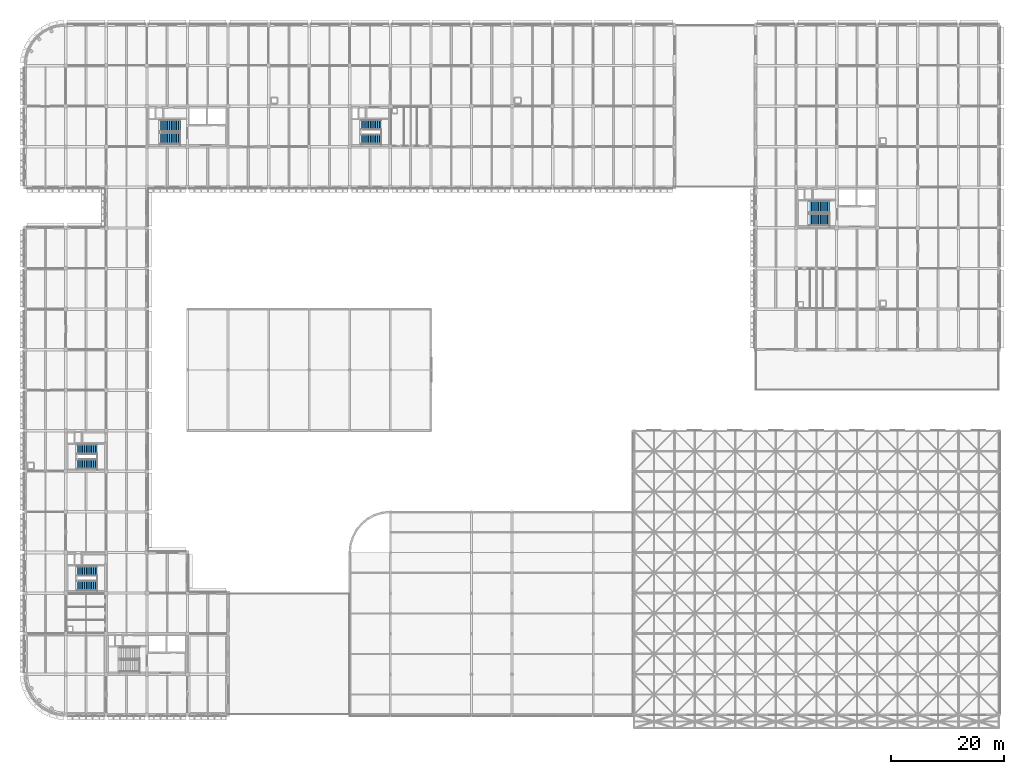
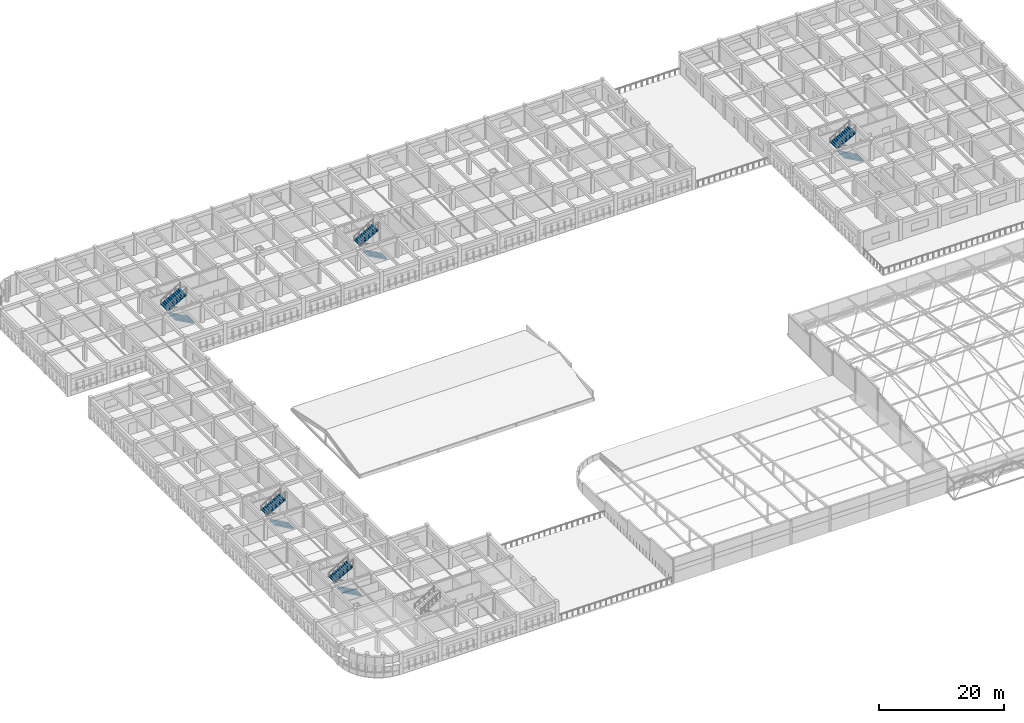
# One storey, part 96 of 103: 10 stair flights, 5 elements without a shape of their own.
"""IFC4 building model written with IfcOpenShell, lengths in metres."""

from ifc_helpers import new_model, si_unit, direction, frame, origin, place, context, subcontext, project, spatial, polyline, outline, extrude, material, type_object, element, aggregate, save


model = new_model("IFC4")

# Units and contexts
model_context = context("Model", 3, precision=1e-05, world=origin(), true_north=direction((0.0, 1.0)))
body_context = subcontext(model_context, "Body", "Model", "MODEL_VIEW")
ifc_project = project(units=[si_unit("LENGTHUNIT", "METRE"), si_unit("AREAUNIT", "SQUARE_METRE"), si_unit("VOLUMEUNIT", "CUBIC_METRE"), si_unit("PLANEANGLEUNIT", "RADIAN"), si_unit("MASSUNIT", "GRAM", prefix="KILO")], contexts=[model_context])

# Site, building, storey
site_placement = place(None, origin())
site = spatial("IfcSite", under=ifc_project, at=site_placement, CompositionType="ELEMENT")
building_placement = place(site_placement, origin())
building = spatial("IfcBuilding", under=site, at=building_placement, Name="Thalmaran Polytechnic", CompositionType="ELEMENT")
storey_placement = place(building_placement, frame((0.0, 0.0, 14.39990234375)))
storey = spatial("IfcBuildingStorey", under=building, at=storey_placement, Name="L03", CompositionType="ELEMENT", Elevation=14.39990234375)

# Stair, stair flights
ifc_material = material(Name="Concrete C40/50", Category="concrete")
stair_type = type_object("IfcStairType", Name="ST-HT42", PredefinedType="HALF_TURN_STAIR", material=ifc_material)
stair_1_placement = place(storey_placement, origin())
stair_1 = element("IfcStair", 1, at=stair_1_placement, inside=storey, type_object=stair_type, Name="Exit Stair ST2 L03", PredefinedType="HALF_TURN_STAIR")
stair_flight_type = type_object("IfcStairFlightType", Name="SF-FL13", PredefinedType="STRAIGHT", material=ifc_material)
stair_flight_1_placement = place(storey_placement, frame((27.52001953125, 102.159912109375, 0.0), z_axis=(0.0, 0.0, 1.0), x_axis=(-1.0, 0.0, 0.0)))
stair_flight_1 = element("IfcStairFlight", 2, at=stair_flight_1_placement, type_object=stair_flight_type, Name="Stair Flight ST2 L03 Lower", NumberOfRisers=12, NumberOfTreads=11, PredefinedType="STRAIGHT", RiserHeight=0.175, TreadLength=0.32, context=body_context, shape_type="SweptSolid", body=[
    extrude(outline(polyline([(0.0, 0.0), (0.0, 0.175048828125), (0.320068359375, 0.175048828125), (0.320068359375, 0.35009765625), (0.639892578125, 0.35009765625), (0.639892578125, 0.52490234375), (0.9599609375, 0.52490234375), (0.9599609375, 0.699951171875), (1.280029296875, 0.699951171875), (1.280029296875, 0.875), (1.60009765625, 0.875), (1.60009765625, 1.050048828125), (1.919921875, 1.050048828125), (1.919921875, 1.22509765625), (2.239990234375, 1.22509765625), (2.239990234375, 1.39990234375), (2.56005859375, 1.39990234375), (2.56005859375, 1.574951171875), (2.8798828125, 1.574951171875), (2.8798828125, 1.75), (3.199951171875, 1.75), (3.199951171875, 1.925048828125), (3.52001953125, 1.925048828125), (3.52001953125, 2.10009765625), (3.52001953125, 1.719970703125), (0.375, 0.0), (0.0, 0.0)])), frame((0.0, 1.080078125, 0.0), z_axis=(0.0, -1.0, 0.0), x_axis=(1.0, 0.0, 0.0)), (0.0, 0.0, 1.0), 2.159912109375),
])
stair_flight_2_placement = place(storey_placement, frame((24.0, 104.6201171875, 2.10009765625), z_axis=(0.0, 0.0, 1.0), x_axis=(1.0, 0.0, 0.0)))
stair_flight_2 = element("IfcStairFlight", 3, at=stair_flight_2_placement, type_object=stair_flight_type, Name="Stair Flight ST2 L03 Upper", NumberOfRisers=12, NumberOfTreads=11, PredefinedType="STRAIGHT", RiserHeight=0.175, TreadLength=0.32, context=body_context, shape_type="SweptSolid", body=[
    extrude(outline(polyline([(0.0, 0.0), (0.0, 0.175048828125), (0.320068359375, 0.175048828125), (0.320068359375, 0.35009765625), (0.639892578125, 0.35009765625), (0.639892578125, 0.52490234375), (0.9599609375, 0.52490234375), (0.9599609375, 0.699951171875), (1.280029296875, 0.699951171875), (1.280029296875, 0.875), (1.60009765625, 0.875), (1.60009765625, 1.050048828125), (1.919921875, 1.050048828125), (1.919921875, 1.22509765625), (2.239990234375, 1.22509765625), (2.239990234375, 1.39990234375), (2.56005859375, 1.39990234375), (2.56005859375, 1.574951171875), (2.8798828125, 1.574951171875), (2.8798828125, 1.75), (3.199951171875, 1.75), (3.199951171875, 1.925048828125), (3.52001953125, 1.925048828125), (3.52001953125, 2.10009765625), (3.52001953125, 1.719970703125), (0.375, 0.0), (0.0, 0.0)])), frame((0.0, 1.080078125, 0.0), z_axis=(0.0, -1.0, 0.0), x_axis=(1.0, 0.0, 0.0)), (0.0, 0.0, 1.0), 2.159912109375),
])
aggregate(stair_1, [stair_flight_1, stair_flight_2])

stair_2_placement = place(storey_placement, origin())
stair_2 = element("IfcStair", 4, at=stair_2_placement, inside=storey, type_object=stair_type, Name="Exit Stair ST3 L03", PredefinedType="HALF_TURN_STAIR")
stair_flight_3_placement = place(storey_placement, frame((12.760009765625, 22.7900390625, 0.0), z_axis=(0.0, 0.0, 1.0), x_axis=(-1.0, 0.0, 0.0)))
stair_flight_3 = element("IfcStairFlight", 5, at=stair_flight_3_placement, type_object=stair_flight_type, Name="Stair Flight ST3 L03 Lower", NumberOfRisers=12, NumberOfTreads=11, PredefinedType="STRAIGHT", RiserHeight=0.175, TreadLength=0.318182, context=body_context, shape_type="SweptSolid", body=[
    extrude(outline(polyline([(0.0, 0.0), (0.0, 0.175048828125), (0.318115234375, 0.175048828125), (0.318115234375, 0.35009765625), (0.636474609375, 0.35009765625), (0.636474609375, 0.52490234375), (0.95458984375, 0.52490234375), (0.95458984375, 0.699951171875), (1.272705078125, 0.699951171875), (1.272705078125, 0.875), (1.5908203125, 0.875), (1.5908203125, 1.050048828125), (1.9091796875, 1.050048828125), (1.9091796875, 1.22509765625), (2.227294921875, 1.22509765625), (2.227294921875, 1.39990234375), (2.54541015625, 1.39990234375), (2.54541015625, 1.574951171875), (2.863525390625, 1.574951171875), (2.863525390625, 1.75), (3.181884765625, 1.75), (3.181884765625, 1.925048828125), (3.5, 1.925048828125), (3.5, 2.10009765625), (3.5, 1.7197265625), (0.373291015625, 0.0), (0.0, 0.0)])), frame((0.0, 0.91015625, 0.0), z_axis=(0.0, -1.0, 0.0), x_axis=(1.0, 0.0, 0.0)), (0.0, 0.0, 1.0), 1.820068359375),
])
stair_flight_4_placement = place(storey_placement, frame((9.260009765625, 25.590087890625, 2.10009765625), z_axis=(0.0, 0.0, 1.0), x_axis=(1.0, 0.0, 0.0)))
stair_flight_4 = element("IfcStairFlight", 6, at=stair_flight_4_placement, type_object=stair_flight_type, Name="Stair Flight ST3 L03 Upper", NumberOfRisers=12, NumberOfTreads=11, PredefinedType="STRAIGHT", RiserHeight=0.175, TreadLength=0.318182, context=body_context, shape_type="SweptSolid", body=[
    extrude(outline(polyline([(0.0, 0.0), (0.0, 0.175048828125), (0.318115234375, 0.175048828125), (0.318115234375, 0.35009765625), (0.636474609375, 0.35009765625), (0.636474609375, 0.52490234375), (0.95458984375, 0.52490234375), (0.95458984375, 0.699951171875), (1.272705078125, 0.699951171875), (1.272705078125, 0.875), (1.5908203125, 0.875), (1.5908203125, 1.050048828125), (1.9091796875, 1.050048828125), (1.9091796875, 1.22509765625), (2.227294921875, 1.22509765625), (2.227294921875, 1.39990234375), (2.54541015625, 1.39990234375), (2.54541015625, 1.574951171875), (2.863525390625, 1.574951171875), (2.863525390625, 1.75), (3.181884765625, 1.75), (3.181884765625, 1.925048828125), (3.5, 1.925048828125), (3.5, 2.10009765625), (3.5, 1.7197265625), (0.373291015625, 0.0), (0.0, 0.0)])), frame((0.0, 0.91015625, 0.0), z_axis=(0.0, -1.0, 0.0), x_axis=(1.0, 0.0, 0.0)), (0.0, 0.0, 1.0), 1.820068359375),
])
aggregate(stair_2, [stair_flight_3, stair_flight_4])

stair_3_placement = place(storey_placement, origin())
stair_3 = element("IfcStair", 7, at=stair_3_placement, inside=storey, type_object=stair_type, Name="Exit Stair ST4 L03", PredefinedType="HALF_TURN_STAIR")
stair_flight_5_placement = place(storey_placement, frame((12.760009765625, 44.389892578125, 0.0), z_axis=(0.0, 0.0, 1.0), x_axis=(-1.0, 0.0, 0.0)))
stair_flight_5 = element("IfcStairFlight", 8, at=stair_flight_5_placement, type_object=stair_flight_type, Name="Stair Flight ST4 L03 Lower", NumberOfRisers=12, NumberOfTreads=11, PredefinedType="STRAIGHT", RiserHeight=0.175, TreadLength=0.318182, context=body_context, shape_type="SweptSolid", body=[
    extrude(outline(polyline([(0.0, 0.0), (0.0, 0.175048828125), (0.318115234375, 0.175048828125), (0.318115234375, 0.35009765625), (0.636474609375, 0.35009765625), (0.636474609375, 0.52490234375), (0.95458984375, 0.52490234375), (0.95458984375, 0.699951171875), (1.272705078125, 0.699951171875), (1.272705078125, 0.875), (1.5908203125, 0.875), (1.5908203125, 1.050048828125), (1.9091796875, 1.050048828125), (1.9091796875, 1.22509765625), (2.227294921875, 1.22509765625), (2.227294921875, 1.39990234375), (2.54541015625, 1.39990234375), (2.54541015625, 1.574951171875), (2.863525390625, 1.574951171875), (2.863525390625, 1.75), (3.181884765625, 1.75), (3.181884765625, 1.925048828125), (3.5, 1.925048828125), (3.5, 2.10009765625), (3.5, 1.7197265625), (0.373291015625, 0.0), (0.0, 0.0)])), frame((0.0, 0.91015625, 0.0), z_axis=(0.0, -1.0, 0.0), x_axis=(1.0, 0.0, 0.0)), (0.0, 0.0, 1.0), 1.820068359375),
])
stair_flight_6_placement = place(storey_placement, frame((9.260009765625, 47.18994140625, 2.10009765625), z_axis=(0.0, 0.0, 1.0), x_axis=(1.0, 0.0, 0.0)))
stair_flight_6 = element("IfcStairFlight", 9, at=stair_flight_6_placement, type_object=stair_flight_type, Name="Stair Flight ST4 L03 Upper", NumberOfRisers=12, NumberOfTreads=11, PredefinedType="STRAIGHT", RiserHeight=0.175, TreadLength=0.318182, context=body_context, shape_type="SweptSolid", body=[
    extrude(outline(polyline([(0.0, 0.0), (0.0, 0.175048828125), (0.318115234375, 0.175048828125), (0.318115234375, 0.35009765625), (0.636474609375, 0.35009765625), (0.636474609375, 0.52490234375), (0.95458984375, 0.52490234375), (0.95458984375, 0.699951171875), (1.272705078125, 0.699951171875), (1.272705078125, 0.875), (1.5908203125, 0.875), (1.5908203125, 1.050048828125), (1.9091796875, 1.050048828125), (1.9091796875, 1.22509765625), (2.227294921875, 1.22509765625), (2.227294921875, 1.39990234375), (2.54541015625, 1.39990234375), (2.54541015625, 1.574951171875), (2.863525390625, 1.574951171875), (2.863525390625, 1.75), (3.181884765625, 1.75), (3.181884765625, 1.925048828125), (3.5, 1.925048828125), (3.5, 2.10009765625), (3.5, 1.7197265625), (0.373291015625, 0.0), (0.0, 0.0)])), frame((0.0, 0.91015625, 0.0), z_axis=(0.0, -1.0, 0.0), x_axis=(1.0, 0.0, 0.0)), (0.0, 0.0, 1.0), 1.820068359375),
])
aggregate(stair_3, [stair_flight_5, stair_flight_6])

stair_4_placement = place(storey_placement, origin())
stair_4 = element("IfcStair", 10, at=stair_4_placement, inside=storey, type_object=stair_type, Name="Exit Stair ST5 L03", PredefinedType="HALF_TURN_STAIR")
stair_flight_7_placement = place(storey_placement, frame((142.719970703125, 87.760009765625, 0.0), z_axis=(0.0, 0.0, 1.0), x_axis=(-1.0, 0.0, 0.0)))
stair_flight_7 = element("IfcStairFlight", 11, at=stair_flight_7_placement, type_object=stair_flight_type, Name="Stair Flight ST5 L03 Lower", NumberOfRisers=12, NumberOfTreads=11, PredefinedType="STRAIGHT", RiserHeight=0.175, TreadLength=0.32, context=body_context, shape_type="SweptSolid", body=[
    extrude(outline(polyline([(0.0, 0.0), (0.0, 0.175048828125), (0.320068359375, 0.175048828125), (0.320068359375, 0.35009765625), (0.639892578125, 0.35009765625), (0.639892578125, 0.52490234375), (0.9599609375, 0.52490234375), (0.9599609375, 0.699951171875), (1.280029296875, 0.699951171875), (1.280029296875, 0.875), (1.60009765625, 0.875), (1.60009765625, 1.050048828125), (1.919921875, 1.050048828125), (1.919921875, 1.22509765625), (2.239990234375, 1.22509765625), (2.239990234375, 1.39990234375), (2.56005859375, 1.39990234375), (2.56005859375, 1.574951171875), (2.8798828125, 1.574951171875), (2.8798828125, 1.75), (3.199951171875, 1.75), (3.199951171875, 1.925048828125), (3.52001953125, 1.925048828125), (3.52001953125, 2.10009765625), (3.52001953125, 1.719970703125), (0.375, 0.0), (0.0, 0.0)])), frame((0.0, 1.080078125, 0.0), z_axis=(0.0, -1.0, 0.0), x_axis=(1.0, 0.0, 0.0)), (0.0, 0.0, 1.0), 2.159912109375),
])
stair_flight_8_placement = place(storey_placement, frame((139.199951171875, 90.219970703125, 2.10009765625), z_axis=(0.0, 0.0, 1.0), x_axis=(1.0, 0.0, 0.0)))
stair_flight_8 = element("IfcStairFlight", 12, at=stair_flight_8_placement, type_object=stair_flight_type, Name="Stair Flight ST5 L03 Upper", NumberOfRisers=12, NumberOfTreads=11, PredefinedType="STRAIGHT", RiserHeight=0.175, TreadLength=0.32, context=body_context, shape_type="SweptSolid", body=[
    extrude(outline(polyline([(0.0, 0.0), (0.0, 0.175048828125), (0.320068359375, 0.175048828125), (0.320068359375, 0.35009765625), (0.639892578125, 0.35009765625), (0.639892578125, 0.52490234375), (0.9599609375, 0.52490234375), (0.9599609375, 0.699951171875), (1.280029296875, 0.699951171875), (1.280029296875, 0.875), (1.60009765625, 0.875), (1.60009765625, 1.050048828125), (1.919921875, 1.050048828125), (1.919921875, 1.22509765625), (2.239990234375, 1.22509765625), (2.239990234375, 1.39990234375), (2.56005859375, 1.39990234375), (2.56005859375, 1.574951171875), (2.8798828125, 1.574951171875), (2.8798828125, 1.75), (3.199951171875, 1.75), (3.199951171875, 1.925048828125), (3.52001953125, 1.925048828125), (3.52001953125, 2.10009765625), (3.52001953125, 1.719970703125), (0.375, 0.0), (0.0, 0.0)])), frame((0.0, 1.080078125, 0.0), z_axis=(0.0, -1.0, 0.0), x_axis=(1.0, 0.0, 0.0)), (0.0, 0.0, 1.0), 2.159912109375),
])
aggregate(stair_4, [stair_flight_7, stair_flight_8])

stair_5_placement = place(storey_placement, origin())
stair_5 = element("IfcStair", 13, at=stair_5_placement, inside=storey, type_object=stair_type, Name="Exit Stair ST6 L03", PredefinedType="HALF_TURN_STAIR")
stair_flight_9_placement = place(storey_placement, frame((63.159912109375, 101.989990234375, 0.0), z_axis=(0.0, 0.0, 1.0), x_axis=(-1.0, 0.0, 0.0)))
stair_flight_9 = element("IfcStairFlight", 14, at=stair_flight_9_placement, type_object=stair_flight_type, Name="Stair Flight ST6 L03 Lower", NumberOfRisers=12, NumberOfTreads=11, PredefinedType="STRAIGHT", RiserHeight=0.175, TreadLength=0.318182, context=body_context, shape_type="SweptSolid", body=[
    extrude(outline(polyline([(0.0, 0.0), (0.0, 0.175048828125), (0.318115234375, 0.175048828125), (0.318115234375, 0.35009765625), (0.636474609375, 0.35009765625), (0.636474609375, 0.52490234375), (0.95458984375, 0.52490234375), (0.95458984375, 0.699951171875), (1.272705078125, 0.699951171875), (1.272705078125, 0.875), (1.5908203125, 0.875), (1.5908203125, 1.050048828125), (1.9091796875, 1.050048828125), (1.9091796875, 1.22509765625), (2.227294921875, 1.22509765625), (2.227294921875, 1.39990234375), (2.54541015625, 1.39990234375), (2.54541015625, 1.574951171875), (2.863525390625, 1.574951171875), (2.863525390625, 1.75), (3.181884765625, 1.75), (3.181884765625, 1.925048828125), (3.5, 1.925048828125), (3.5, 2.10009765625), (3.5, 1.7197265625), (0.373291015625, 0.0), (0.0, 0.0)])), frame((0.0, 0.91015625, 0.0), z_axis=(0.0, -1.0, 0.0), x_axis=(1.0, 0.0, 0.0)), (0.0, 0.0, 1.0), 1.820068359375),
])
stair_flight_10_placement = place(storey_placement, frame((59.659912109375, 104.7900390625, 2.10009765625), z_axis=(0.0, 0.0, 1.0), x_axis=(1.0, 0.0, 0.0)))
stair_flight_10 = element("IfcStairFlight", 15, at=stair_flight_10_placement, type_object=stair_flight_type, Name="Stair Flight ST6 L03 Upper", NumberOfRisers=12, NumberOfTreads=11, PredefinedType="STRAIGHT", RiserHeight=0.175, TreadLength=0.318182, context=body_context, shape_type="SweptSolid", body=[
    extrude(outline(polyline([(0.0, 0.0), (0.0, 0.175048828125), (0.318115234375, 0.175048828125), (0.318115234375, 0.35009765625), (0.636474609375, 0.35009765625), (0.636474609375, 0.52490234375), (0.95458984375, 0.52490234375), (0.95458984375, 0.699951171875), (1.272705078125, 0.699951171875), (1.272705078125, 0.875), (1.5908203125, 0.875), (1.5908203125, 1.050048828125), (1.9091796875, 1.050048828125), (1.9091796875, 1.22509765625), (2.227294921875, 1.22509765625), (2.227294921875, 1.39990234375), (2.54541015625, 1.39990234375), (2.54541015625, 1.574951171875), (2.863525390625, 1.574951171875), (2.863525390625, 1.75), (3.181884765625, 1.75), (3.181884765625, 1.925048828125), (3.5, 1.925048828125), (3.5, 2.10009765625), (3.5, 1.7197265625), (0.373291015625, 0.0), (0.0, 0.0)])), frame((0.0, 0.91015625, 0.0), z_axis=(0.0, -1.0, 0.0), x_axis=(1.0, 0.0, 0.0)), (0.0, 0.0, 1.0), 1.820068359375),
])
aggregate(stair_5, [stair_flight_9, stair_flight_10])

save(model, "model.ifc")
